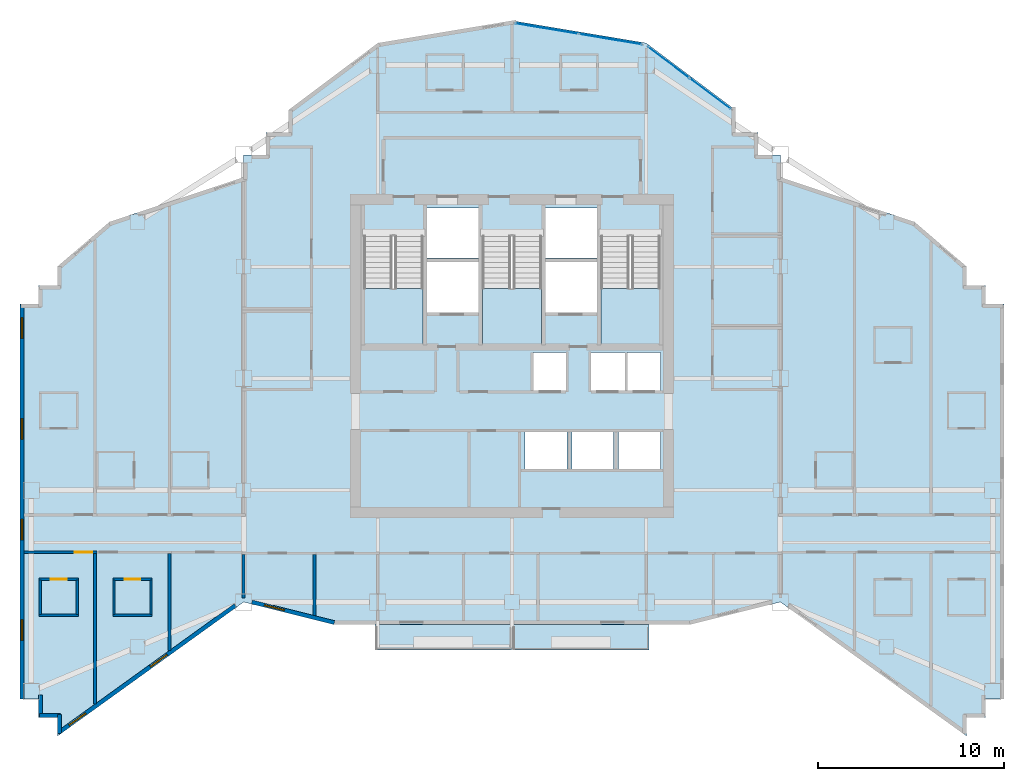
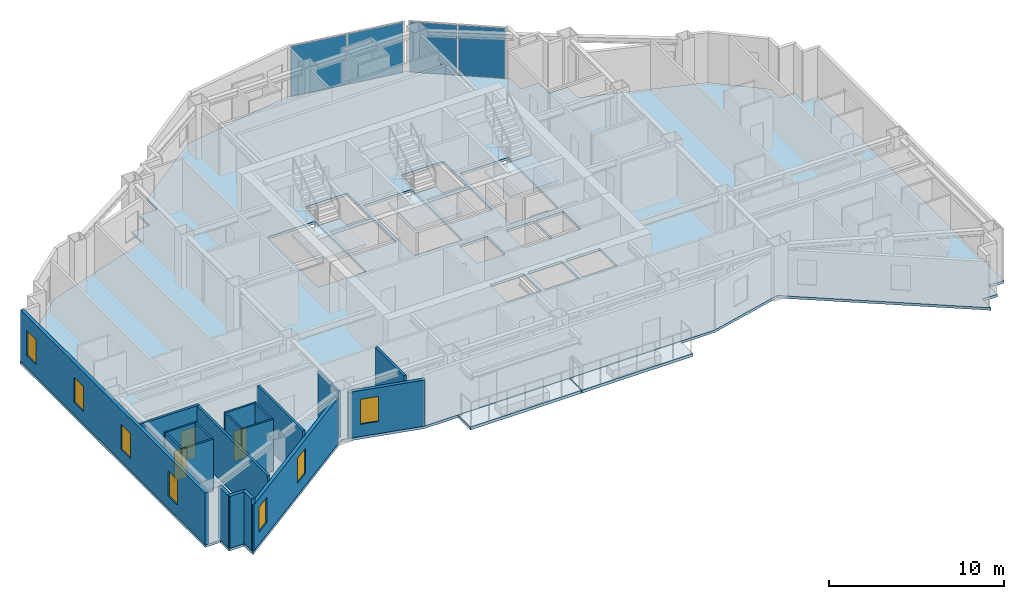
# One storey, part 4 of 11: 19 walls, 7 windows, 6 slabs, 4 plates, 3 doors, 10 openings, 5 elements without a shape of their own.
"""IFC4 building model written with IfcOpenShell, lengths in metres."""

from ifc_helpers import new_model, si_unit, direction, frame, frame_2d, origin, origin_2d, place, context, subcontext, project, spatial, polyline, rectangle, outline, extrude, material, layer, layer_set, type_object, element, fill, aggregate, save


model = new_model("IFC4")

# Units and contexts
model_context = context("Model", 3, precision=1e-05, world=origin(), true_north=direction((0.0, 1.0)))
body_context = subcontext(model_context, "Body", "Model", "MODEL_VIEW")
ifc_project = project(units=[si_unit("LENGTHUNIT", "METRE"), si_unit("AREAUNIT", "SQUARE_METRE"), si_unit("VOLUMEUNIT", "CUBIC_METRE"), si_unit("PLANEANGLEUNIT", "RADIAN"), si_unit("MASSUNIT", "GRAM", prefix="KILO")], contexts=[model_context])

# Site, building, storey
site_placement = place(None, origin())
site = spatial("IfcSite", under=ifc_project, at=site_placement, CompositionType="ELEMENT")
building_placement = place(site_placement, origin())
building = spatial("IfcBuilding", under=site, at=building_placement, Name="Haolan Belvedere Tower", CompositionType="ELEMENT")
storey_placement = place(building_placement, frame((0.0, 0.0, 191.800048828125)))
storey = spatial("IfcBuildingStorey", under=building, at=storey_placement, Name="L48", CompositionType="ELEMENT", Elevation=191.800048828125)

# Curtain wall, plates
ifc_material_1 = material(Name="Anodised champagne-silver aluminium 6063-T6 and Low-E glass", Category="aluminium")
ifc_layer_1 = layer(ifc_material_1, 0.14990234375, Name="Anodised champagne-silver aluminium 6063-T6 and Low-E glass")
ifc_layer_set_1 = layer_set([ifc_layer_1], Name="Anodised champagne-silver aluminium 6063-T6 and Low-E glass")
curtain_wall_type = type_object("IfcCurtainWallType", Name="CW-SYS-04", PredefinedType="NOTDEFINED", material=ifc_layer_set_1)
curtain_wall_1_placement = place(storey_placement, origin())
curtain_wall_1 = element("IfcCurtainWall", 1, at=curtain_wall_1_placement, inside=storey, type_object=curtain_wall_type, Name="L48 CW-SYS-04 ribbon curtain wall 20.1", PredefinedType="NOTDEFINED")
ifc_material_2 = material(Name="Double silver Low-E laminated insulating glass", Category="glass")
ifc_layer_2 = layer(ifc_material_2, 0.02392578125, Name="Double silver Low-E laminated insulating glass")
ifc_layer_set_2 = layer_set([ifc_layer_2], Name="Double silver Low-E laminated insulating glass")
plate_type = type_object("IfcPlateType", Name="CW-SYS-04-PNL", PredefinedType="CURTAIN_PANEL", material=ifc_layer_set_2)
plate_1_placement = place(storey_placement, frame((49.0390625, 48.883056640625, 0.052001953125), z_axis=(0.0, 0.0, 1.0), x_axis=(-0.799997871638, 0.600002837806, 0.0)))
plate_1 = element("IfcPlate", 2, at=plate_1_placement, type_object=plate_type, Name="CW-04 panel 1.1", PredefinedType="CURTAIN_PANEL", context=body_context, shape_type="SweptSolid", body=[
    extrude(rectangle(XDim=2.735107421875, YDim=0.02392578125, at=origin_2d()), origin(), (0.0, 0.0, 1.0), 3.51611328125),
])
plate_2_placement = place(storey_placement, frame((46.806396484375, 50.557861328125, 0.052001953125), z_axis=(0.0, 0.0, 1.0), x_axis=(-0.799997871638, 0.600002837806, 0.0)))
plate_2 = element("IfcPlate", 3, at=plate_2_placement, type_object=plate_type, Name="CW-04 panel 2.1", PredefinedType="CURTAIN_PANEL", context=body_context, shape_type="SweptSolid", body=[
    extrude(rectangle(XDim=2.735107421875, YDim=0.02392578125, at=origin_2d()), origin(), (0.0, 0.0, 1.0), 3.51611328125),
])
aggregate(curtain_wall_1, [plate_1, plate_2])

curtain_wall_2_placement = place(storey_placement, origin())
curtain_wall_2 = element("IfcCurtainWall", 4, at=curtain_wall_2_placement, inside=storey, type_object=curtain_wall_type, Name="L48 CW-SYS-04 ribbon curtain wall 21.1", PredefinedType="NOTDEFINED")
plate_3_placement = place(storey_placement, frame((43.683837890625, 51.807861328125, 0.052001953125), z_axis=(0.0, 0.0, 1.0), x_axis=(-0.98639276122, 0.164405962825, 0.0)))
plate_3 = element("IfcPlate", 5, at=plate_3_placement, type_object=plate_type, Name="CW-04 panel 1.1", PredefinedType="CURTAIN_PANEL", context=body_context, shape_type="SweptSolid", body=[
    extrude(rectangle(XDim=3.403076171875, YDim=0.02392578125, at=origin_2d()), origin(), (0.0, 0.0, 1.0), 3.51611328125),
])
plate_4_placement = place(storey_placement, frame((40.271728515625, 52.37646484375, 0.052001953125), z_axis=(0.0, 0.0, 1.0), x_axis=(-0.98639276122, 0.164405962825, 0.0)))
plate_4 = element("IfcPlate", 6, at=plate_4_placement, type_object=plate_type, Name="CW-04 panel 2.1", PredefinedType="CURTAIN_PANEL", context=body_context, shape_type="SweptSolid", body=[
    extrude(rectangle(XDim=3.403076171875, YDim=0.02392578125, at=origin_2d()), origin(), (0.0, 0.0, 1.0), 3.51611328125),
])
aggregate(curtain_wall_2, [plate_3, plate_4])

# Slabs
ifc_material_3 = material(Name="Concrete C40/50", Category="concrete")
ifc_layer_3 = layer(ifc_material_3, 0.2099609375, Name="Concrete C40/50")
ifc_layer_set_3 = layer_set([ifc_layer_3], Name="Concrete C40/50")
slab_type_1 = type_object("IfcSlabType", Name="SL-BAL-210", PredefinedType="FLOOR", material=ifc_layer_set_3)
slab_1_placement = place(storey_placement, frame((0.0, 0.0, -0.22998046875)))
element("IfcSlab", 7, at=slab_1_placement, inside=storey, type_object=slab_type_1, Name="L48 structural tree-planter balcony slab BAL-L48-S1", PredefinedType="FLOOR", context=body_context, shape_type="SweptSolid", body=[
    extrude(outline(polyline([(31.050048828125, 19.02001953125), (38.3798828125, 19.02001953125), (38.3798828125, 20.39990234375), (31.050048828125, 20.39990234375), (31.050048828125, 19.02001953125)])), origin(), (0.0, 0.0, 1.0), 0.2099609375),
])
slab_2_placement = place(storey_placement, frame((0.0, 0.0, -0.22998046875)))
element("IfcSlab", 8, at=slab_2_placement, inside=storey, type_object=slab_type_1, Name="L48 structural tree-planter balcony slab BAL-L48-S2", PredefinedType="FLOOR", context=body_context, shape_type="SweptSolid", body=[
    extrude(outline(polyline([(38.419921875, 19.02001953125), (45.75, 19.02001953125), (45.75, 20.39990234375), (38.419921875, 20.39990234375), (38.419921875, 19.02001953125)])), origin(), (0.0, 0.0, 1.0), 0.2099609375),
])
ifc_layer_4 = layer(ifc_material_3, 0.179931640625, Name="Concrete C40/50")
ifc_layer_set_4 = layer_set([ifc_layer_4], Name="Concrete C40/50")
slab_type_2 = type_object("IfcSlabType", Name="SL-FLR-180", PredefinedType="FLOOR", material=ifc_layer_set_4)
slab_3_placement = place(storey_placement, frame((0.0, 0.0, -0.179931640625)))
element("IfcSlab", 9, at=slab_3_placement, inside=storey, type_object=slab_type_2, Name="L48 structural floor slab", PredefinedType="FLOOR", context=body_context, shape_type="SweptSolid", body=[
    extrude(outline(polyline([(24.0, 21.60009765625), (28.800048828125, 20.39990234375), (48.0, 20.39990234375), (52.800048828125, 21.60009765625), (62.800048828125, 14.39990234375), (62.800048828125, 15.39990234375), (63.800048828125, 15.39990234375), (63.800048828125, 16.39990234375), (64.800048828125, 16.39990234375), (64.800048828125, 37.60009765625), (63.800048828125, 37.60009765625), (63.800048828125, 38.60009765625), (62.800048828125, 38.60009765625), (62.800048828125, 39.60009765625), (60.0, 42.0), (52.800048828125, 44.39990234375), (52.800048828125, 45.60009765625), (51.60009765625, 45.60009765625), (51.60009765625, 46.800048828125), (50.39990234375, 46.800048828125), (50.39990234375, 48.0), (45.60009765625, 51.60009765625), (38.39990234375, 52.800048828125), (31.199951171875, 51.60009765625), (26.39990234375, 48.0), (26.39990234375, 46.800048828125), (25.199951171875, 46.800048828125), (25.199951171875, 45.60009765625), (24.0, 45.60009765625), (24.0, 44.39990234375), (16.800048828125, 42.0), (14.0, 39.60009765625), (14.0, 38.60009765625), (13.0, 38.60009765625), (13.0, 37.60009765625), (12.0, 37.60009765625), (12.0, 16.800048828125), (12.0, 16.39990234375), (13.0, 16.39990234375), (13.0, 15.39990234375), (14.0, 15.39990234375), (14.0, 14.39990234375), (24.0, 21.60009765625)]), holes=[polyline([(30.449951171875, 41.22998046875), (30.449951171875, 35.449951171875), (33.6298828125, 35.449951171875), (33.6298828125, 41.22998046875), (30.449951171875, 41.22998046875)]), polyline([(36.81005859375, 41.22998046875), (36.81005859375, 35.449951171875), (39.989990234375, 35.449951171875), (39.989990234375, 41.22998046875), (36.81005859375, 41.22998046875)]), polyline([(43.169921875, 41.22998046875), (43.169921875, 35.449951171875), (46.35009765625, 35.449951171875), (46.35009765625, 41.22998046875), (43.169921875, 41.22998046875)]), polyline([(33.830078125, 40.050048828125), (36.610107421875, 40.050048828125), (36.610107421875, 42.75), (33.830078125, 42.75), (33.830078125, 40.050048828125)]), polyline([(33.830078125, 37.14990234375), (36.610107421875, 37.14990234375), (36.610107421875, 39.85009765625), (33.830078125, 39.85009765625), (33.830078125, 37.14990234375)]), polyline([(40.18994140625, 40.050048828125), (42.969970703125, 40.050048828125), (42.969970703125, 42.75), (40.18994140625, 42.75), (40.18994140625, 40.050048828125)]), polyline([(40.18994140625, 37.14990234375), (42.969970703125, 37.14990234375), (42.969970703125, 39.85009765625), (40.18994140625, 39.85009765625), (40.18994140625, 37.14990234375)]), polyline([(39.5400390625, 32.949951171875), (41.389892578125, 32.949951171875), (41.389892578125, 35.0), (39.5400390625, 35.0), (39.5400390625, 32.949951171875)]), polyline([(42.6201171875, 32.949951171875), (44.469970703125, 32.949951171875), (44.469970703125, 35.0), (42.6201171875, 35.0), (42.6201171875, 32.949951171875)]), polyline([(44.580078125, 32.949951171875), (46.3798828125, 32.949951171875), (46.3798828125, 35.0), (44.580078125, 35.0), (44.580078125, 32.949951171875)]), polyline([(39.10009765625, 28.75), (41.340087890625, 28.75), (41.340087890625, 30.75), (39.10009765625, 30.75), (39.10009765625, 28.75)]), polyline([(41.610107421875, 28.75), (43.85009765625, 28.75), (43.85009765625, 30.75), (41.610107421875, 30.75), (41.610107421875, 28.75)]), polyline([(44.1201171875, 28.75), (46.360107421875, 28.75), (46.360107421875, 30.75), (44.1201171875, 30.75), (44.1201171875, 28.75)])]), origin(), (0.0, 0.0, 1.0), 0.179931640625),
])

# Stair, slab
stair_type = type_object("IfcStairType", Name="STR-DL-22R-173", PredefinedType="HALF_TURN_STAIR", material=ifc_material_3)
stair_1_placement = place(storey_placement, origin())
stair_1 = element("IfcStair", 10, at=stair_1_placement, inside=storey, type_object=stair_type, Name="L48 Smokeproof Core Exit Stair ST1", PredefinedType="HALF_TURN_STAIR")
ifc_layer_5 = layer(ifc_material_3, 0.199951171875, Name="Concrete C40/50")
ifc_layer_set_5 = layer_set([ifc_layer_5], Name="Concrete C40/50")
slab_type_3 = type_object("IfcSlabType", Name="SL-LAND-200", PredefinedType="LANDING", material=ifc_layer_set_5)
slab_4_placement = place(storey_placement, frame((0.0, 0.0, 1.699951171875)))
slab_4 = element("IfcSlab", 11, at=slab_4_placement, type_object=slab_type_3, Name="ST1 landing 1", PredefinedType="LANDING", context=body_context, shape_type="SweptSolid", body=[
    extrude(outline(polyline([(30.449951171875, 38.429931640625), (30.449951171875, 35.449951171875), (33.6298828125, 35.449951171875), (33.6298828125, 38.429931640625), (30.449951171875, 38.429931640625)])), origin(), (0.0, 0.0, 1.0), 0.199951171875),
])
aggregate(stair_1, [slab_4])

stair_2_placement = place(storey_placement, origin())
stair_2 = element("IfcStair", 12, at=stair_2_placement, inside=storey, type_object=stair_type, Name="L48 Smokeproof Core Exit Stair ST3", PredefinedType="HALF_TURN_STAIR")
slab_5_placement = place(storey_placement, frame((0.0, 0.0, 1.699951171875)))
slab_5 = element("IfcSlab", 13, at=slab_5_placement, type_object=slab_type_3, Name="ST3 landing 1", PredefinedType="LANDING", context=body_context, shape_type="SweptSolid", body=[
    extrude(outline(polyline([(36.81005859375, 38.429931640625), (36.81005859375, 35.449951171875), (39.989990234375, 35.449951171875), (39.989990234375, 38.429931640625), (36.81005859375, 38.429931640625)])), origin(), (0.0, 0.0, 1.0), 0.199951171875),
])
aggregate(stair_2, [slab_5])

stair_3_placement = place(storey_placement, origin())
stair_3 = element("IfcStair", 14, at=stair_3_placement, inside=storey, type_object=stair_type, Name="L48 Smokeproof Core Exit Stair ST2", PredefinedType="HALF_TURN_STAIR")
slab_6_placement = place(storey_placement, frame((0.0, 0.0, 1.699951171875)))
slab_6 = element("IfcSlab", 15, at=slab_6_placement, type_object=slab_type_3, Name="ST2 landing 1", PredefinedType="LANDING", context=body_context, shape_type="SweptSolid", body=[
    extrude(outline(polyline([(43.169921875, 38.429931640625), (43.169921875, 35.449951171875), (46.35009765625, 35.449951171875), (46.35009765625, 38.429931640625), (43.169921875, 38.429931640625)])), origin(), (0.0, 0.0, 1.0), 0.199951171875),
])
aggregate(stair_3, [slab_6])

# Wall, openings, windows
ifc_material_4 = material(Name="Precast concrete C40/50", Category="concrete")
ifc_layer_6 = layer(ifc_material_4, 0.219970703125, Name="Precast concrete C40/50")
ifc_layer_set_6 = layer_set([ifc_layer_6], Name="Precast concrete C40/50")
wall_type_1 = type_object("IfcWallType", Name="WL-EXT-220", PredefinedType="SOLIDWALL", material=ifc_layer_set_6)
wall_1_placement = place(storey_placement, frame((12.110107421875, 37.544921875, 0.0), z_axis=(0.0, 0.0, 1.0), x_axis=(0.0, -1.0, 0.0)))
wall_1 = element("IfcWall", 16, at=wall_1_placement, inside=storey, type_object=wall_type_1, Name="L48 pale-metal exterior spandrel wall 35.1", PredefinedType="SOLIDWALL", context=body_context, shape_type="SweptSolid", body=[
    extrude(rectangle(XDim=21.14501953125, YDim=0.219970703125, at=frame_2d((10.572509765625, 0.0))), origin(), (0.0, 0.0, 1.0), 3.619873046875),
])
opening_1_placement = place(wall_1_placement, frame((0.699951171875, 0.0, 0.85009765625)))
opening_1 = element("IfcOpeningElement", 17, at=opening_1_placement, cuts=wall_1, Name="Opening W-03", PredefinedType="OPENING", context=body_context, shape_type="SweptSolid", body=[
    extrude(rectangle(XDim=1.10009765625, YDim=1.75, at=frame_2d((0.550048828125, 0.875))), frame((0.0, 0.119873046875, 0.0), z_axis=(0.0, -1.0, 0.0), x_axis=(1.0, 0.0, 0.0)), (0.0, 0.0, 1.0), 0.239990234375),
])
opening_2_placement = place(wall_1_placement, frame((6.10009765625, 0.0, 0.85009765625)))
opening_2 = element("IfcOpeningElement", 18, at=opening_2_placement, cuts=wall_1, Name="Opening W-03", PredefinedType="OPENING", context=body_context, shape_type="SweptSolid", body=[
    extrude(rectangle(XDim=1.10009765625, YDim=1.75, at=frame_2d((0.550048828125, 0.875))), frame((0.0, 0.119873046875, 0.0), z_axis=(0.0, -1.0, 0.0), x_axis=(1.0, 0.0, 0.0)), (0.0, 0.0, 1.0), 0.239990234375),
])
opening_3_placement = place(wall_1_placement, frame((11.5, 0.0, 0.85009765625)))
opening_3 = element("IfcOpeningElement", 19, at=opening_3_placement, cuts=wall_1, Name="Opening W-03", PredefinedType="OPENING", context=body_context, shape_type="SweptSolid", body=[
    extrude(rectangle(XDim=1.10009765625, YDim=1.75, at=frame_2d((0.550048828125, 0.875))), frame((0.0, 0.119873046875, 0.0), z_axis=(0.0, -1.0, 0.0), x_axis=(1.0, 0.0, 0.0)), (0.0, 0.0, 1.0), 0.239990234375),
])
opening_4_placement = place(wall_1_placement, frame((16.89990234375, 0.0, 0.85009765625)))
opening_4 = element("IfcOpeningElement", 20, at=opening_4_placement, cuts=wall_1, Name="Opening W-03", PredefinedType="OPENING", context=body_context, shape_type="SweptSolid", body=[
    extrude(rectangle(XDim=1.10009765625, YDim=1.75, at=frame_2d((0.550048828125, 0.875))), frame((0.0, 0.119873046875, 0.0), z_axis=(0.0, -1.0, 0.0), x_axis=(1.0, 0.0, 0.0)), (0.0, 0.0, 1.0), 0.239990234375),
])
ifc_material_5 = material(Name="Anodised aluminium 6063-T6 and Low-E glass", Category="aluminium")
window_type = type_object("IfcWindowType", Name="WN-DECO-Z3", PartitioningType="SINGLE_PANEL", PredefinedType="WINDOW", material=ifc_material_5)
window_1_placement = place(opening_1_placement, origin())
window_1 = element("IfcWindow", 21, at=window_1_placement, inside=storey, type_object=window_type, Name="L48 Art Deco chevron window 1", OverallHeight=1.75, OverallWidth=1.10009765625, PartitioningType="SINGLE_PANEL", PredefinedType="WINDOW", context=body_context, shape_type="SweptSolid", body=[
    extrude(rectangle(XDim=1.10009765625, YDim=1.75, at=frame_2d((0.550048828125, 0.875))), frame((0.0, 0.030029296875, 0.0), z_axis=(0.0, -1.0, 0.0), x_axis=(1.0, 0.0, 0.0)), (0.0, 0.0, 1.0), 0.06005859375),
])
fill(opening_1, window_1)
window_2_placement = place(opening_2_placement, origin())
window_2 = element("IfcWindow", 22, at=window_2_placement, inside=storey, type_object=window_type, Name="L48 Art Deco chevron window 2", OverallHeight=1.75, OverallWidth=1.10009765625, PartitioningType="SINGLE_PANEL", PredefinedType="WINDOW", context=body_context, shape_type="SweptSolid", body=[
    extrude(rectangle(XDim=1.10009765625, YDim=1.75, at=frame_2d((0.550048828125, 0.875))), frame((0.0, 0.030029296875, 0.0), z_axis=(0.0, -1.0, 0.0), x_axis=(1.0, 0.0, 0.0)), (0.0, 0.0, 1.0), 0.06005859375),
])
fill(opening_2, window_2)
window_3_placement = place(opening_3_placement, origin())
window_3 = element("IfcWindow", 23, at=window_3_placement, inside=storey, type_object=window_type, Name="L48 Art Deco chevron window 3", OverallHeight=1.75, OverallWidth=1.10009765625, PartitioningType="SINGLE_PANEL", PredefinedType="WINDOW", context=body_context, shape_type="SweptSolid", body=[
    extrude(rectangle(XDim=1.10009765625, YDim=1.75, at=frame_2d((0.550048828125, 0.875))), frame((0.0, 0.030029296875, 0.0), z_axis=(0.0, -1.0, 0.0), x_axis=(1.0, 0.0, 0.0)), (0.0, 0.0, 1.0), 0.06005859375),
])
fill(opening_3, window_3)
window_4_placement = place(opening_4_placement, origin())
window_4 = element("IfcWindow", 24, at=window_4_placement, inside=storey, type_object=window_type, Name="L48 Art Deco chevron window 4", OverallHeight=1.75, OverallWidth=1.10009765625, PartitioningType="SINGLE_PANEL", PredefinedType="WINDOW", context=body_context, shape_type="SweptSolid", body=[
    extrude(rectangle(XDim=1.10009765625, YDim=1.75, at=frame_2d((0.550048828125, 0.875))), frame((0.0, 0.030029296875, 0.0), z_axis=(0.0, -1.0, 0.0), x_axis=(1.0, 0.0, 0.0)), (0.0, 0.0, 1.0), 0.06005859375),
])
fill(opening_4, window_4)

# Walls
wall_2_placement = place(storey_placement, frame((13.110107421875, 16.6201171875, 0.0), z_axis=(0.0, 0.0, 1.0), x_axis=(0.0, -1.0, 0.0)))
element("IfcWall", 25, at=wall_2_placement, inside=storey, type_object=wall_type_1, Name="L48 pale-metal exterior spandrel wall 37.1", PredefinedType="SOLIDWALL", context=body_context, shape_type="SweptSolid", body=[
    extrude(rectangle(XDim=1.1650390625, YDim=0.219970703125, at=frame_2d((0.58251953125, 0.0))), origin(), (0.0, 0.0, 1.0), 3.619873046875),
])
wall_3_placement = place(storey_placement, frame((13.054931640625, 15.510009765625, 0.0), z_axis=(0.0, 0.0, 1.0), x_axis=(1.0, 0.0, 0.0)))
element("IfcWall", 26, at=wall_3_placement, inside=storey, type_object=wall_type_1, Name="L48 pale-metal exterior spandrel wall 38.1", PredefinedType="SOLIDWALL", context=body_context, shape_type="SweptSolid", body=[
    extrude(rectangle(XDim=1.110107421875, YDim=0.219970703125, at=frame_2d((0.55517578125, 0.0))), origin(), (0.0, 0.0, 1.0), 3.619873046875),
])
wall_4_placement = place(storey_placement, frame((14.110107421875, 15.56494140625, 0.0), z_axis=(0.0, 0.0, 1.0), x_axis=(0.0, -1.0, 0.0)))
element("IfcWall", 27, at=wall_4_placement, inside=storey, type_object=wall_type_1, Name="L48 pale-metal exterior spandrel wall 39.1", PredefinedType="SOLIDWALL", context=body_context, shape_type="SweptSolid", body=[
    extrude(rectangle(XDim=1.005126953125, YDim=0.219970703125, at=frame_2d((0.50244140625, 0.0))), origin(), (0.0, 0.0, 1.0), 3.619873046875),
])

# Wall, openings, windows
wall_5_placement = place(storey_placement, frame((14.0654296875, 14.58251953125, 0.0), z_axis=(0.0, 0.0, 1.0), x_axis=(0.811534737332, 0.58430417601, 0.0)))
wall_5 = element("IfcWall", 28, at=wall_5_placement, inside=storey, type_object=wall_type_1, Name="L48 pale-metal exterior spandrel wall 40.1", PredefinedType="SOLIDWALL", context=body_context, shape_type="SweptSolid", body=[
    extrude(rectangle(XDim=11.697265625, YDim=0.219970703125, at=frame_2d((5.8486328125, 0.0))), origin(), (0.0, 0.0, 1.0), 3.21484375),
])
opening_5_placement = place(wall_5_placement, frame((0.699951171875, 0.0, 0.85009765625)))
opening_5 = element("IfcOpeningElement", 29, at=opening_5_placement, cuts=wall_5, Name="Opening W-03", PredefinedType="OPENING", context=body_context, shape_type="SweptSolid", body=[
    extrude(rectangle(XDim=1.10009765625, YDim=1.75, at=frame_2d((0.550048828125, 0.875))), frame((0.0, 0.119873046875, 0.0), z_axis=(0.0, -1.0, 0.0), x_axis=(1.0, 0.0, 0.0)), (0.0, 0.0, 1.0), 0.239990234375),
])
opening_6_placement = place(wall_5_placement, frame((6.075927734375, 0.0, 0.85009765625)))
opening_6 = element("IfcOpeningElement", 30, at=opening_6_placement, cuts=wall_5, Name="Opening W-03", PredefinedType="OPENING", context=body_context, shape_type="SweptSolid", body=[
    extrude(rectangle(XDim=1.10009765625, YDim=1.75, at=frame_2d((0.550048828125, 0.875))), frame((0.0, 0.119873046875, 0.0), z_axis=(0.0, -1.0, 0.0), x_axis=(1.0, 0.0, 0.0)), (0.0, 0.0, 1.0), 0.239990234375),
])
window_5_placement = place(opening_5_placement, origin())
window_5 = element("IfcWindow", 31, at=window_5_placement, inside=storey, type_object=window_type, Name="L48 Art Deco chevron window 1", OverallHeight=1.75, OverallWidth=1.10009765625, PartitioningType="SINGLE_PANEL", PredefinedType="WINDOW", context=body_context, shape_type="SweptSolid", body=[
    extrude(rectangle(XDim=1.10009765625, YDim=1.75, at=frame_2d((0.550048828125, 0.875))), frame((0.0, 0.030029296875, 0.0), z_axis=(0.0, -1.0, 0.0), x_axis=(1.0, 0.0, 0.0)), (0.0, 0.0, 1.0), 0.06005859375),
])
fill(opening_5, window_5)
window_6_placement = place(opening_6_placement, origin())
window_6 = element("IfcWindow", 32, at=window_6_placement, inside=storey, type_object=window_type, Name="L48 Art Deco chevron window 2", OverallHeight=1.75, OverallWidth=1.10009765625, PartitioningType="SINGLE_PANEL", PredefinedType="WINDOW", context=body_context, shape_type="SweptSolid", body=[
    extrude(rectangle(XDim=1.10009765625, YDim=1.75, at=frame_2d((0.550048828125, 0.875))), frame((0.0, 0.030029296875, 0.0), z_axis=(0.0, -1.0, 0.0), x_axis=(1.0, 0.0, 0.0)), (0.0, 0.0, 1.0), 0.06005859375),
])
fill(opening_6, window_6)

# Wall, opening, window
wall_6_placement = place(storey_placement, frame((24.44189453125, 21.602783203125, 0.0), z_axis=(0.0, 0.0, 1.0), x_axis=(0.970145648609, -0.242523030833, 0.0)))
wall_6 = element("IfcWall", 33, at=wall_6_placement, inside=storey, type_object=wall_type_1, Name="L48 pale-metal exterior spandrel wall 41.1", PredefinedType="SOLIDWALL", context=body_context, shape_type="SweptSolid", body=[
    extrude(rectangle(XDim=4.561279296875, YDim=0.219970703125, at=frame_2d((2.28076171875, 0.0))), origin(), (0.0, 0.0, 1.0), 3.21484375),
])
opening_7_placement = place(wall_6_placement, frame((0.699951171875, 0.0, 0.85009765625)))
opening_7 = element("IfcOpeningElement", 34, at=opening_7_placement, cuts=wall_6, Name="Opening W-03", PredefinedType="OPENING", context=body_context, shape_type="SweptSolid", body=[
    extrude(rectangle(XDim=1.10009765625, YDim=1.75, at=frame_2d((0.550048828125, 0.875))), frame((0.0, 0.119873046875, 0.0), z_axis=(0.0, -1.0, 0.0), x_axis=(1.0, 0.0, 0.0)), (0.0, 0.0, 1.0), 0.239990234375),
])
window_7_placement = place(opening_7_placement, origin())
window_7 = element("IfcWindow", 35, at=window_7_placement, inside=storey, type_object=window_type, Name="L48 Art Deco chevron window 1", OverallHeight=1.75, OverallWidth=1.10009765625, PartitioningType="SINGLE_PANEL", PredefinedType="WINDOW", context=body_context, shape_type="SweptSolid", body=[
    extrude(rectangle(XDim=1.10009765625, YDim=1.75, at=frame_2d((0.550048828125, 0.875))), frame((0.0, 0.030029296875, 0.0), z_axis=(0.0, -1.0, 0.0), x_axis=(1.0, 0.0, 0.0)), (0.0, 0.0, 1.0), 0.06005859375),
])
fill(opening_7, window_7)

# Walls
ifc_material_6 = material(Name="Double gypsum acoustic stud partition", Category="masonry")
ifc_layer_7 = layer(ifc_material_6, 0.14990234375, Name="Double gypsum acoustic stud partition")
ifc_layer_set_7 = layer_set([ifc_layer_7], Name="Double gypsum acoustic stud partition")
wall_type_2 = type_object("IfcWallType", Name="WL-PART-150", PredefinedType="PARTITIONING", material=ifc_layer_set_7)
wall_7_placement = place(storey_placement, frame((24.0, 21.818603515625, 0.0), z_axis=(0.0, 0.0, 1.0), x_axis=(0.0, 1.0, 0.0)))
element("IfcWall", 36, at=wall_7_placement, inside=storey, type_object=wall_type_2, Name="L48 interior partition IW-L48-KS1-W", PredefinedType="PARTITIONING", context=body_context, shape_type="SweptSolid", body=[
    extrude(rectangle(XDim=2.34130859375, YDim=0.14990234375, at=frame_2d((1.170654296875, 0.0))), origin(), (0.0, 0.0, 1.0), 3.21484375),
])
wall_8_placement = place(storey_placement, frame((27.800048828125, 20.868408203125, 0.0), z_axis=(0.0, 0.0, 1.0), x_axis=(0.0, 1.0, 0.0)))
element("IfcWall", 37, at=wall_8_placement, inside=storey, type_object=wall_type_2, Name="L48 interior partition IW-L48-KS1-E", PredefinedType="PARTITIONING", context=body_context, shape_type="SweptSolid", body=[
    extrude(rectangle(XDim=3.29150390625, YDim=0.14990234375, at=frame_2d((1.645751953125, 0.0))), origin(), (0.0, 0.0, 1.0), 3.619873046875),
])

# Wall, opening, door
wall_9_placement = place(storey_placement, frame((12.2119140625, 24.27001953125, 0.0), z_axis=(0.0, 0.0, 1.0), x_axis=(1.0, 0.0, 0.0)))
wall_9 = element("IfcWall", 38, at=wall_9_placement, inside=storey, type_object=wall_type_2, Name="L48 interior partition IW-L48-T2S1-N", PredefinedType="PARTITIONING", context=body_context, shape_type="SweptSolid", body=[
    extrude(rectangle(XDim=3.91796875, YDim=0.14990234375, at=frame_2d((1.958984375, 0.0))), origin(), (0.0, 0.0, 1.0), 3.619873046875),
])
opening_8_placement = place(wall_9_placement, frame((3.663330078125, 0.0, 0.0), z_axis=(0.0, 0.0, 1.0), x_axis=(-1.0, 0.0, 0.0)))
opening_8 = element("IfcOpeningElement", 39, at=opening_8_placement, cuts=wall_9, Name="Opening ID-02", PredefinedType="OPENING", context=body_context, shape_type="SweptSolid", body=[
    extrude(rectangle(XDim=0.949951171875, YDim=2.14990234375, at=frame_2d((0.47509765625, 1.074951171875))), frame((0.0, 0.0849609375, 0.0), z_axis=(0.0, -1.0, 0.0), x_axis=(1.0, 0.0, 0.0)), (0.0, 0.0, 1.0), 0.169921875),
])
ifc_material_7 = material(Name="Acoustic oak veneer fire-rated timber", Category="wood")
door_type_1 = type_object("IfcDoorType", Name="DR-GUEST-950", OperationType="NOTDEFINED", PredefinedType="DOOR", material=ifc_material_7)
door_1_placement = place(opening_8_placement, origin())
door_1 = element("IfcDoor", 40, at=door_1_placement, inside=storey, type_object=door_type_1, Name="L48 door ID-L48-T2S1-ENT", OperationType="SINGLE_SWING_RIGHT", OverallHeight=2.14990234375, OverallWidth=0.949951171875, PredefinedType="DOOR", context=body_context, shape_type="SweptSolid", body=[
    extrude(rectangle(XDim=0.949951171875, YDim=2.14990234375, at=frame_2d((0.47509765625, 1.074951171875))), frame((0.0, 0.02490234375, 0.0), z_axis=(0.0, -1.0, 0.0), x_axis=(1.0, 0.0, 0.0)), (0.0, 0.0, 1.0), 0.050048828125),
])
fill(opening_8, door_1)

# Walls
wall_10_placement = place(storey_placement, frame((16.030029296875, 16.122802734375, 0.0), z_axis=(0.0, 0.0, 1.0), x_axis=(0.0, 1.0, 0.0)))
element("IfcWall", 41, at=wall_10_placement, inside=storey, type_object=wall_type_2, Name="L48 interior partition IW-L48-T2S1-E", PredefinedType="PARTITIONING", context=body_context, shape_type="SweptSolid", body=[
    extrude(rectangle(XDim=8.087158203125, YDim=0.14990234375, at=frame_2d((4.04345703125, 0.0))), origin(), (0.0, 0.0, 1.0), 3.619873046875),
])
wall_11_placement = place(storey_placement, frame((20.02001953125, 18.99560546875, 0.0), z_axis=(0.0, 0.0, 1.0), x_axis=(0.0, 1.0, 0.0)))
element("IfcWall", 42, at=wall_11_placement, inside=storey, type_object=wall_type_2, Name="L48 interior partition IW-L48-T2S2-E", PredefinedType="PARTITIONING", context=body_context, shape_type="SweptSolid", body=[
    extrude(rectangle(XDim=5.21435546875, YDim=0.14990234375, at=frame_2d((2.607177734375, 0.0))), origin(), (0.0, 0.0, 1.0), 3.619873046875),
])

# Wall, opening, door
ifc_material_8 = material(Name="Moisture-resistant gypsum tile partition", Category="masonry")
ifc_layer_8 = layer(ifc_material_8, 0.1201171875, Name="Moisture-resistant gypsum tile partition")
ifc_layer_set_8 = layer_set([ifc_layer_8], Name="Moisture-resistant gypsum tile partition")
wall_type_3 = type_object("IfcWallType", Name="WL-WET-120", PredefinedType="PARTITIONING", material=ifc_layer_set_8)
wall_12_placement = place(storey_placement, frame((13.030029296875, 22.820068359375, 0.0), z_axis=(0.0, 0.0, 1.0), x_axis=(1.0, 0.0, 0.0)))
wall_12 = element("IfcWall", 43, at=wall_12_placement, inside=storey, type_object=wall_type_3, Name="L48 interior partition IW-L48-T2S1-BN", PredefinedType="PARTITIONING", context=body_context, shape_type="SweptSolid", body=[
    extrude(rectangle(XDim=2.099853515625, YDim=0.1201171875, at=frame_2d((1.0498046875, 0.0))), origin(), (0.0, 0.0, 1.0), 3.619873046875),
])
opening_9_placement = place(wall_12_placement, frame((1.47509765625, 0.0, 0.0), z_axis=(0.0, 0.0, 1.0), x_axis=(-1.0, 0.0, 0.0)))
opening_9 = element("IfcOpeningElement", 44, at=opening_9_placement, cuts=wall_12, Name="Opening ID-05", PredefinedType="OPENING", context=body_context, shape_type="SweptSolid", body=[
    extrude(rectangle(XDim=0.85009765625, YDim=2.10009765625, at=frame_2d((0.425048828125, 1.050048828125))), frame((0.0, 0.070068359375, 0.0), z_axis=(0.0, -1.0, 0.0), x_axis=(1.0, 0.0, 0.0)), (0.0, 0.0, 1.0), 0.14013671875),
])
ifc_material_9 = material(Name="Moisture-resistant lacquered timber", Category="wood")
door_type_2 = type_object("IfcDoorType", Name="DR-BATH-850", OperationType="NOTDEFINED", PredefinedType="DOOR", material=ifc_material_9)
door_2_placement = place(opening_9_placement, origin())
door_2 = element("IfcDoor", 45, at=door_2_placement, inside=storey, type_object=door_type_2, Name="L48 door ID-L48-T2S1-BATH", OperationType="SINGLE_SWING_LEFT", OverallHeight=2.10009765625, OverallWidth=0.85009765625, PredefinedType="DOOR", context=body_context, shape_type="SweptSolid", body=[
    extrude(rectangle(XDim=0.85009765625, YDim=2.10009765625, at=frame_2d((0.425048828125, 1.050048828125))), frame((0.0, 0.02490234375, 0.0), z_axis=(0.0, -1.0, 0.0), x_axis=(1.0, 0.0, 0.0)), (0.0, 0.0, 1.0), 0.050048828125),
])
fill(opening_9, door_2)

# Walls
wall_13_placement = place(storey_placement, frame((13.030029296875, 20.89990234375, 0.0), z_axis=(0.0, 0.0, 1.0), x_axis=(1.0, 0.0, 0.0)))
element("IfcWall", 46, at=wall_13_placement, inside=storey, type_object=wall_type_3, Name="L48 interior partition IW-L48-T2S1-BS", PredefinedType="PARTITIONING", context=body_context, shape_type="SweptSolid", body=[
    extrude(rectangle(XDim=2.099853515625, YDim=0.1201171875, at=frame_2d((1.0498046875, 0.0))), origin(), (0.0, 0.0, 1.0), 3.619873046875),
])
for number, where, z_axis, x_axis, name in (
    (47, (13.090087890625, 20.945068359375, 0.0), (0.0, 0.0, 1.0), (0.0, 1.0, 0.0), "L48 interior partition IW-L48-T2S1-BW"),
    (48, (15.070068359375, 20.945068359375, 0.0), (0.0, 0.0, 1.0), (0.0, 1.0, 0.0), "L48 interior partition IW-L48-T2S1-BE"),
):
    element("IfcWall", number, at=place(storey_placement, frame(where, z_axis=z_axis, x_axis=x_axis)), inside=storey, type_object=wall_type_3, Name=name, PredefinedType="PARTITIONING", context=body_context, shape_type="SweptSolid", body=[
        extrude(rectangle(XDim=1.829833984375, YDim=0.1201171875, at=frame_2d((0.9150390625, 0.0))), origin(), (0.0, 0.0, 1.0), 3.619873046875),
    ])

# Wall, opening, door
wall_14_placement = place(storey_placement, frame((16.98291015625, 22.820068359375, 0.0), z_axis=(0.0, 0.0, 1.0), x_axis=(1.0, 0.0, 0.0)))
wall_14 = element("IfcWall", 49, at=wall_14_placement, inside=storey, type_object=wall_type_3, Name="L48 interior partition IW-L48-T2S2-BN", PredefinedType="PARTITIONING", context=body_context, shape_type="SweptSolid", body=[
    extrude(rectangle(XDim=2.10009765625, YDim=0.1201171875, at=frame_2d((1.050048828125, 0.0))), origin(), (0.0, 0.0, 1.0), 3.619873046875),
])
opening_10_placement = place(wall_14_placement, frame((1.47509765625, 0.0, 0.0), z_axis=(0.0, 0.0, 1.0), x_axis=(-1.0, 0.0, 0.0)))
opening_10 = element("IfcOpeningElement", 50, at=opening_10_placement, cuts=wall_14, Name="Opening ID-05", PredefinedType="OPENING", context=body_context, shape_type="SweptSolid", body=[
    extrude(rectangle(XDim=0.85009765625, YDim=2.10009765625, at=frame_2d((0.425048828125, 1.050048828125))), frame((0.0, 0.070068359375, 0.0), z_axis=(0.0, -1.0, 0.0), x_axis=(1.0, 0.0, 0.0)), (0.0, 0.0, 1.0), 0.14013671875),
])
door_3_placement = place(opening_10_placement, origin())
door_3 = element("IfcDoor", 51, at=door_3_placement, inside=storey, type_object=door_type_2, Name="L48 door ID-L48-T2S2-BATH", OperationType="SINGLE_SWING_RIGHT", OverallHeight=2.10009765625, OverallWidth=0.85009765625, PredefinedType="DOOR", context=body_context, shape_type="SweptSolid", body=[
    extrude(rectangle(XDim=0.85009765625, YDim=2.10009765625, at=frame_2d((0.425048828125, 1.050048828125))), frame((0.0, 0.02490234375, 0.0), z_axis=(0.0, -1.0, 0.0), x_axis=(1.0, 0.0, 0.0)), (0.0, 0.0, 1.0), 0.050048828125),
])
fill(opening_10, door_3)

# Walls
wall_15_placement = place(storey_placement, frame((16.98291015625, 20.89990234375, 0.0), z_axis=(0.0, 0.0, 1.0), x_axis=(1.0, 0.0, 0.0)))
element("IfcWall", 52, at=wall_15_placement, inside=storey, type_object=wall_type_3, Name="L48 interior partition IW-L48-T2S2-BS", PredefinedType="PARTITIONING", context=body_context, shape_type="SweptSolid", body=[
    extrude(rectangle(XDim=2.10009765625, YDim=0.1201171875, at=frame_2d((1.050048828125, 0.0))), origin(), (0.0, 0.0, 1.0), 3.619873046875),
])
for number, where, z_axis, x_axis, name in (
    (53, (17.04296875, 20.945068359375, 0.0), (0.0, 0.0, 1.0), (0.0, 1.0, 0.0), "L48 interior partition IW-L48-T2S2-BW"),
    (54, (19.02294921875, 20.945068359375, 0.0), (0.0, 0.0, 1.0), (0.0, 1.0, 0.0), "L48 interior partition IW-L48-T2S2-BE"),
):
    element("IfcWall", number, at=place(storey_placement, frame(where, z_axis=z_axis, x_axis=x_axis)), inside=storey, type_object=wall_type_3, Name=name, PredefinedType="PARTITIONING", context=body_context, shape_type="SweptSolid", body=[
        extrude(rectangle(XDim=1.829833984375, YDim=0.1201171875, at=frame_2d((0.9150390625, 0.0))), origin(), (0.0, 0.0, 1.0), 3.619873046875),
    ])

save(model, "model.ifc")
